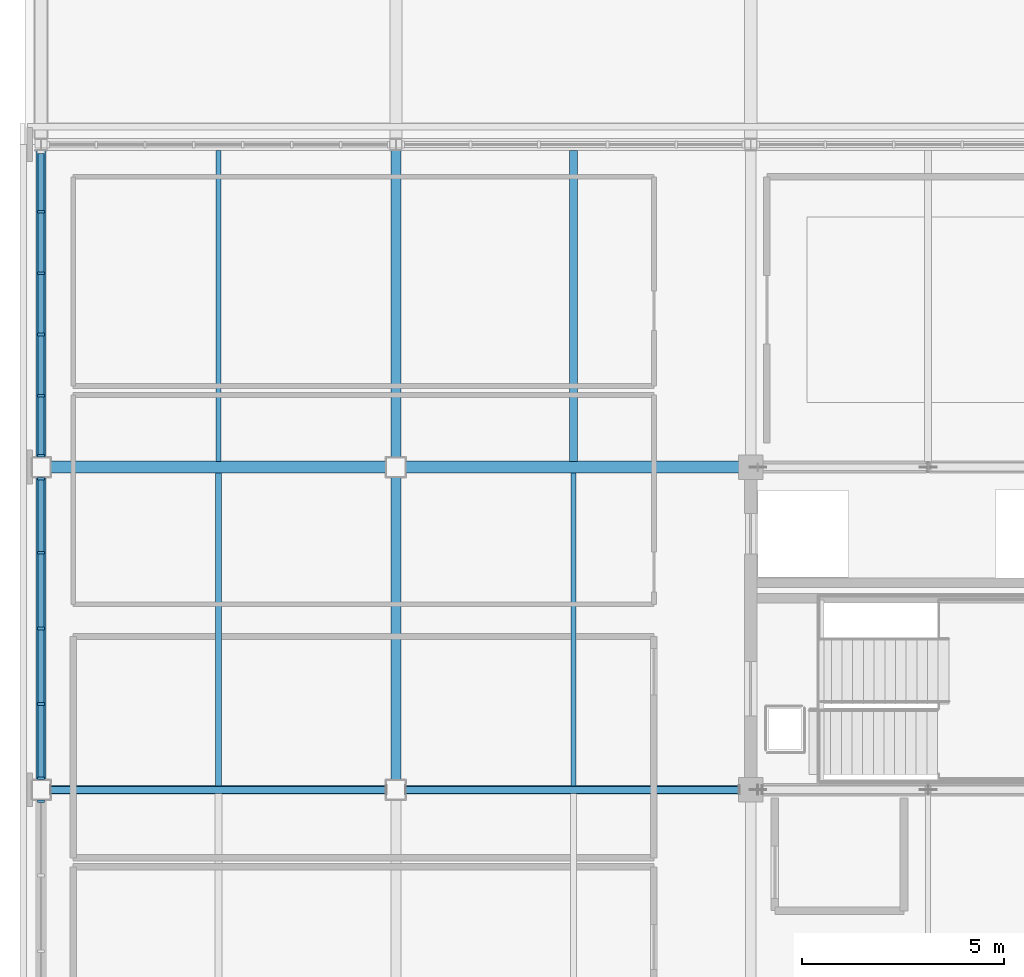
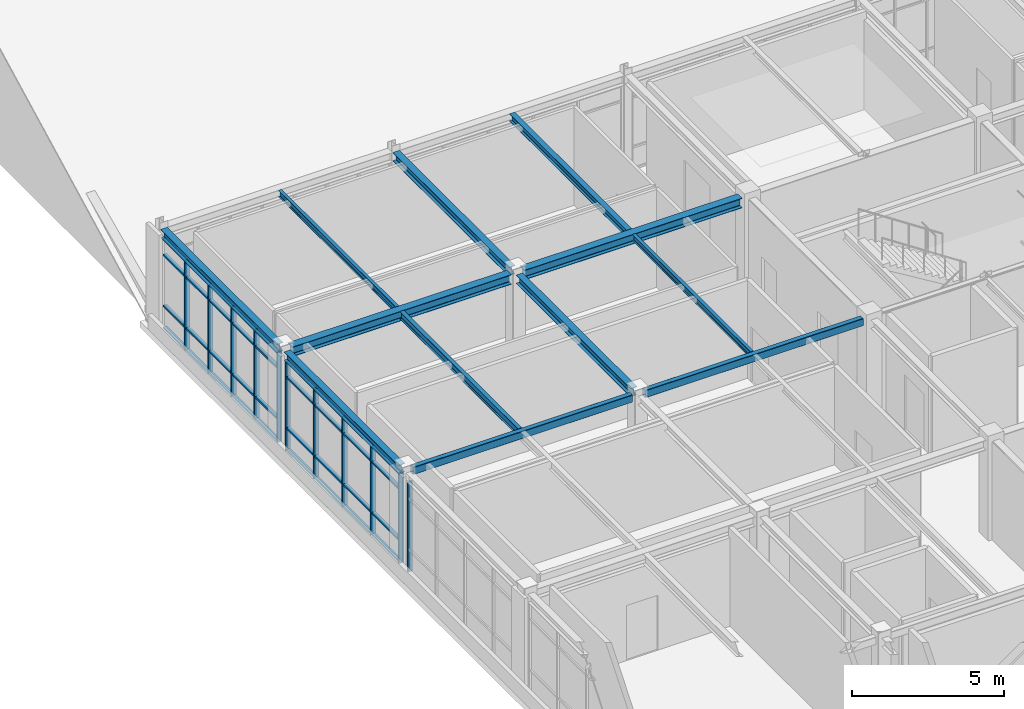
# One storey, part 12 of 45: 47 members, 12 beams, 3 elements without a shape of their own.
"""IFC4 building model written with IfcOpenShell, lengths in metres."""

from ifc_helpers import new_model, si_unit, direction, frame, origin, origin_2d, place, context, subcontext, project, spatial, rectangle, hollow_rectangle, i_section, extrude, material, material_profile, profile_set, type_object, element, aggregate, save


model = new_model("IFC4")

# Units and contexts
model_context = context("Model", 3, precision=1e-05, world=origin(), true_north=direction((0.0, 1.0)))
body_context = subcontext(model_context, "Body", "Model", "MODEL_VIEW")
ifc_project = project(units=[si_unit("LENGTHUNIT", "METRE"), si_unit("AREAUNIT", "SQUARE_METRE"), si_unit("VOLUMEUNIT", "CUBIC_METRE"), si_unit("PLANEANGLEUNIT", "RADIAN"), si_unit("MASSUNIT", "GRAM", prefix="KILO")], contexts=[model_context])

# Site, building, storey
site_placement = place(None, origin())
site = spatial("IfcSite", under=ifc_project, at=site_placement, CompositionType="ELEMENT")
building_placement = place(site_placement, origin())
building = spatial("IfcBuilding", under=site, at=building_placement, Name="Zhaolan Boulevard Law Courts", CompositionType="ELEMENT")
storey_placement = place(building_placement, frame((0.0, 0.0, 24.60009765625)))
storey = spatial("IfcBuildingStorey", under=building, at=storey_placement, Name="L05", CompositionType="ELEMENT", Elevation=24.60009765625)

# Curtain wall, member
ifc_material_1 = material(Name="Thermally broken aluminium and low-E glazing", Category="aluminium")
curtain_wall_type_1 = type_object("IfcCurtainWallType", Name="CURTAIN WALL M23", PredefinedType="USERDEFINED", material=ifc_material_1)
curtain_wall_1_placement = place(storey_placement, origin())
curtain_wall_1 = element("IfcCurtainWall", 1, at=curtain_wall_1_placement, inside=storey, type_object=curtain_wall_type_1, Name="Curtain Wall CW-L05-215", ObjectType="CURTAIN WALL", PredefinedType="USERDEFINED")
ifc_material_2 = material(Name="Fluorocarbon-coated aluminium 6063-T6", Category="aluminium")
ifc_material_profile_1 = material_profile(ifc_material_2, rectangle(XDim=0.179931640625, YDim=0.06494140625, at=origin_2d()), Name="AL65x180")
ifc_profile_set_1 = profile_set([ifc_material_profile_1], Name="Fluorocarbon-coated aluminium 6063-T6")
member_type_1 = type_object("IfcMemberType", Name="CWMULLION 65X180", PredefinedType="MULLION", material=ifc_profile_set_1)
member_1_placement = place(storey_placement, frame((0.0, 61.715576171875, 0.0), z_axis=(0.0, 0.0, 1.0), x_axis=(1.0, 0.0, 0.0)))
member_1 = element("IfcMember", 2, at=member_1_placement, type_object=member_type_1, Name="CW-L05-215 mullion 1", PredefinedType="MULLION", context=body_context, shape_type="SweptSolid", body=[
    extrude(rectangle(XDim=0.179931640625, YDim=0.06494140625, at=origin_2d()), origin(), (0.0, 0.0, 1.0), 3.593017578125),
])
aggregate(curtain_wall_1, [member_1])

# Curtain wall, members
ifc_material_3 = material(Name="Thermally broken aluminium and low-E glazing", Category="aluminium")
curtain_wall_type_2 = type_object("IfcCurtainWallType", Name="CURTAIN WALL M24", PredefinedType="USERDEFINED", material=ifc_material_3)
curtain_wall_2_placement = place(storey_placement, origin())
curtain_wall_2 = element("IfcCurtainWall", 3, at=curtain_wall_2_placement, inside=storey, type_object=curtain_wall_type_2, Name="Curtain Wall CW-L05-216", ObjectType="CURTAIN WALL", PredefinedType="USERDEFINED")
member_2_placement = place(storey_placement, frame((0.0, 69.715576171875, 0.0), z_axis=(0.0, 0.0, 1.0), x_axis=(1.0, 0.0, 0.0)))
member_2 = element("IfcMember", 4, at=member_2_placement, type_object=member_type_1, Name="CW-L05-216 mullion 1", PredefinedType="MULLION", context=body_context, shape_type="SweptSolid", body=[
    extrude(rectangle(XDim=0.179931640625, YDim=0.06494140625, at=origin_2d()), origin(), (0.0, 0.0, 1.0), 3.593017578125),
])
member_3_placement = place(storey_placement, frame((0.0, 67.8740234375, 0.0), z_axis=(0.0, 0.0, 1.0), x_axis=(1.0, 0.0, 0.0)))
member_3 = element("IfcMember", 5, at=member_3_placement, type_object=member_type_1, Name="CW-L05-216 mullion 2", PredefinedType="MULLION", context=body_context, shape_type="SweptSolid", body=[
    extrude(rectangle(XDim=0.179931640625, YDim=0.06494140625, at=origin_2d()), origin(), (0.0, 0.0, 1.0), 3.593017578125),
])
member_4_placement = place(storey_placement, frame((0.0, 66.0, 0.0), z_axis=(0.0, 0.0, 1.0), x_axis=(1.0, 0.0, 0.0)))
member_4 = element("IfcMember", 6, at=member_4_placement, type_object=member_type_1, Name="CW-L05-216 mullion 3", PredefinedType="MULLION", context=body_context, shape_type="SweptSolid", body=[
    extrude(rectangle(XDim=0.179931640625, YDim=0.06494140625, at=origin_2d()), origin(), (0.0, 0.0, 1.0), 3.593017578125),
])
member_5_placement = place(storey_placement, frame((0.0, 64.1259765625, 0.0), z_axis=(0.0, 0.0, 1.0), x_axis=(1.0, 0.0, 0.0)))
member_5 = element("IfcMember", 7, at=member_5_placement, type_object=member_type_1, Name="CW-L05-216 mullion 4", PredefinedType="MULLION", context=body_context, shape_type="SweptSolid", body=[
    extrude(rectangle(XDim=0.179931640625, YDim=0.06494140625, at=origin_2d()), origin(), (0.0, 0.0, 1.0), 3.593017578125),
])
member_6_placement = place(storey_placement, frame((0.0, 62.284423828125, 0.0), z_axis=(0.0, 0.0, 1.0), x_axis=(1.0, 0.0, 0.0)))
member_6 = element("IfcMember", 8, at=member_6_placement, type_object=member_type_1, Name="CW-L05-216 mullion 5", PredefinedType="MULLION", context=body_context, shape_type="SweptSolid", body=[
    extrude(rectangle(XDim=0.179931640625, YDim=0.06494140625, at=origin_2d()), origin(), (0.0, 0.0, 1.0), 3.593017578125),
])

ifc_material_4 = material(Name="Thermally broken aluminium and low-E glazing", Category="aluminium")
curtain_wall_type_3 = type_object("IfcCurtainWallType", Name="CURTAIN WALL M1", PredefinedType="USERDEFINED", material=ifc_material_4)
curtain_wall_3_placement = place(storey_placement, origin())
curtain_wall_3 = element("IfcCurtainWall", 9, at=curtain_wall_3_placement, inside=storey, type_object=curtain_wall_type_3, Name="Curtain Wall CW-L05-217", ObjectType="CURTAIN WALL", PredefinedType="USERDEFINED")
member_7_placement = place(storey_placement, frame((0.0, 76.328857421875, 0.0), z_axis=(0.0, 0.0, 1.0), x_axis=(1.0, 0.0, 0.0)))
member_7 = element("IfcMember", 10, at=member_7_placement, type_object=member_type_1, Name="CW-L05-217 mullion 2", PredefinedType="MULLION", context=body_context, shape_type="SweptSolid", body=[
    extrude(rectangle(XDim=0.179931640625, YDim=0.06494140625, at=origin_2d()), origin(), (0.0, 0.0, 1.0), 3.593017578125),
])
member_8_placement = place(storey_placement, frame((0.0, 74.8095703125, 0.0), z_axis=(0.0, 0.0, 1.0), x_axis=(1.0, 0.0, 0.0)))
member_8 = element("IfcMember", 11, at=member_8_placement, type_object=member_type_1, Name="CW-L05-217 mullion 3", PredefinedType="MULLION", context=body_context, shape_type="SweptSolid", body=[
    extrude(rectangle(XDim=0.179931640625, YDim=0.06494140625, at=origin_2d()), origin(), (0.0, 0.0, 1.0), 3.593017578125),
])
member_9_placement = place(storey_placement, frame((0.0, 73.290283203125, 0.0), z_axis=(0.0, 0.0, 1.0), x_axis=(1.0, 0.0, 0.0)))
member_9 = element("IfcMember", 12, at=member_9_placement, type_object=member_type_1, Name="CW-L05-217 mullion 4", PredefinedType="MULLION", context=body_context, shape_type="SweptSolid", body=[
    extrude(rectangle(XDim=0.179931640625, YDim=0.06494140625, at=origin_2d()), origin(), (0.0, 0.0, 1.0), 3.593017578125),
])
member_10_placement = place(storey_placement, frame((0.0, 71.771240234375, 0.0), z_axis=(0.0, 0.0, 1.0), x_axis=(1.0, 0.0, 0.0)))
member_10 = element("IfcMember", 13, at=member_10_placement, type_object=member_type_1, Name="CW-L05-217 mullion 5", PredefinedType="MULLION", context=body_context, shape_type="SweptSolid", body=[
    extrude(rectangle(XDim=0.179931640625, YDim=0.06494140625, at=origin_2d()), origin(), (0.0, 0.0, 1.0), 3.593017578125),
])
member_11_placement = place(storey_placement, frame((0.0, 70.284423828125, 0.0), z_axis=(0.0, 0.0, 1.0), x_axis=(1.0, 0.0, 0.0)))
member_11 = element("IfcMember", 14, at=member_11_placement, type_object=member_type_1, Name="CW-L05-217 mullion 6", PredefinedType="MULLION", context=body_context, shape_type="SweptSolid", body=[
    extrude(rectangle(XDim=0.179931640625, YDim=0.06494140625, at=origin_2d()), origin(), (0.0, 0.0, 1.0), 3.593017578125),
])

# Member
ifc_material_5 = material(Name="Fluorocarbon-coated aluminium 6063-T6", Category="aluminium")
ifc_material_profile_2 = material_profile(ifc_material_5, rectangle(XDim=0.139892578125, YDim=0.06494140625, at=origin_2d()), Name="AL65x140")
ifc_profile_set_2 = profile_set([ifc_material_profile_2], Name="Fluorocarbon-coated aluminium 6063-T6")
member_type_2 = type_object("IfcMemberType", Name="CWTRANSOM 65X140", PredefinedType="USERDEFINED", material=ifc_profile_set_2)
member_12_placement = place(storey_placement, frame((0.0, 69.68310546875, 0.032470703125), z_axis=(0.0, -1.0, 0.0), x_axis=(1.0, 0.0, 0.0)))
member_12 = element("IfcMember", 15, at=member_12_placement, type_object=member_type_2, Name="CW-L05-216 transom 1.1", ObjectType="TRANSOM", PredefinedType="USERDEFINED", context=body_context, shape_type="SweptSolid", body=[
    extrude(rectangle(XDim=0.139892578125, YDim=0.06494140625, at=origin_2d()), origin(), (0.0, 0.0, 1.0), 1.776611328125),
])

member_13_placement = place(storey_placement, frame((0.0, 69.68310546875, 0.89990234375), z_axis=(0.0, -1.0, 0.0), x_axis=(1.0, 0.0, 0.0)))
member_13 = element("IfcMember", 16, at=member_13_placement, type_object=member_type_2, Name="CW-L05-216 transom 1.2", ObjectType="TRANSOM", PredefinedType="USERDEFINED", context=body_context, shape_type="SweptSolid", body=[
    extrude(rectangle(XDim=0.139892578125, YDim=0.06494140625, at=origin_2d()), origin(), (0.0, 0.0, 1.0), 1.776611328125),
])

member_14_placement = place(storey_placement, frame((0.0, 69.68310546875, 2.94287109375), z_axis=(0.0, -1.0, 0.0), x_axis=(1.0, 0.0, 0.0)))
member_14 = element("IfcMember", 17, at=member_14_placement, type_object=member_type_2, Name="CW-L05-216 transom 1.3", ObjectType="TRANSOM", PredefinedType="USERDEFINED", context=body_context, shape_type="SweptSolid", body=[
    extrude(rectangle(XDim=0.139892578125, YDim=0.06494140625, at=origin_2d()), origin(), (0.0, 0.0, 1.0), 1.776611328125),
])

member_15_placement = place(storey_placement, frame((0.0, 69.68310546875, 3.560302734375), z_axis=(0.0, -1.0, 0.0), x_axis=(1.0, 0.0, 0.0)))
member_15 = element("IfcMember", 18, at=member_15_placement, type_object=member_type_2, Name="CW-L05-216 transom 1.4", ObjectType="TRANSOM", PredefinedType="USERDEFINED", context=body_context, shape_type="SweptSolid", body=[
    extrude(rectangle(XDim=0.139892578125, YDim=0.06494140625, at=origin_2d()), origin(), (0.0, 0.0, 1.0), 1.776611328125),
])

member_16_placement = place(storey_placement, frame((0.0, 67.841552734375, 0.032470703125), z_axis=(0.0, -1.0, 0.0), x_axis=(1.0, 0.0, 0.0)))
member_16 = element("IfcMember", 19, at=member_16_placement, type_object=member_type_2, Name="CW-L05-216 transom 2.1", ObjectType="TRANSOM", PredefinedType="USERDEFINED", context=body_context, shape_type="SweptSolid", body=[
    extrude(rectangle(XDim=0.139892578125, YDim=0.06494140625, at=origin_2d()), origin(), (0.0, 0.0, 1.0), 1.80908203125),
])

member_17_placement = place(storey_placement, frame((0.0, 67.841552734375, 0.89990234375), z_axis=(0.0, -1.0, 0.0), x_axis=(1.0, 0.0, 0.0)))
member_17 = element("IfcMember", 20, at=member_17_placement, type_object=member_type_2, Name="CW-L05-216 transom 2.2", ObjectType="TRANSOM", PredefinedType="USERDEFINED", context=body_context, shape_type="SweptSolid", body=[
    extrude(rectangle(XDim=0.139892578125, YDim=0.06494140625, at=origin_2d()), origin(), (0.0, 0.0, 1.0), 1.80908203125),
])

member_18_placement = place(storey_placement, frame((0.0, 67.841552734375, 2.94287109375), z_axis=(0.0, -1.0, 0.0), x_axis=(1.0, 0.0, 0.0)))
member_18 = element("IfcMember", 21, at=member_18_placement, type_object=member_type_2, Name="CW-L05-216 transom 2.3", ObjectType="TRANSOM", PredefinedType="USERDEFINED", context=body_context, shape_type="SweptSolid", body=[
    extrude(rectangle(XDim=0.139892578125, YDim=0.06494140625, at=origin_2d()), origin(), (0.0, 0.0, 1.0), 1.80908203125),
])

member_19_placement = place(storey_placement, frame((0.0, 67.841552734375, 3.560302734375), z_axis=(0.0, -1.0, 0.0), x_axis=(1.0, 0.0, 0.0)))
member_19 = element("IfcMember", 22, at=member_19_placement, type_object=member_type_2, Name="CW-L05-216 transom 2.4", ObjectType="TRANSOM", PredefinedType="USERDEFINED", context=body_context, shape_type="SweptSolid", body=[
    extrude(rectangle(XDim=0.139892578125, YDim=0.06494140625, at=origin_2d()), origin(), (0.0, 0.0, 1.0), 1.80908203125),
])

member_20_placement = place(storey_placement, frame((0.0, 65.967529296875, 0.032470703125), z_axis=(0.0, -1.0, 0.0), x_axis=(1.0, 0.0, 0.0)))
member_20 = element("IfcMember", 23, at=member_20_placement, type_object=member_type_2, Name="CW-L05-216 transom 3.1", ObjectType="TRANSOM", PredefinedType="USERDEFINED", context=body_context, shape_type="SweptSolid", body=[
    extrude(rectangle(XDim=0.139892578125, YDim=0.06494140625, at=origin_2d()), origin(), (0.0, 0.0, 1.0), 1.80908203125),
])

member_21_placement = place(storey_placement, frame((0.0, 65.967529296875, 0.89990234375), z_axis=(0.0, -1.0, 0.0), x_axis=(1.0, 0.0, 0.0)))
member_21 = element("IfcMember", 24, at=member_21_placement, type_object=member_type_2, Name="CW-L05-216 transom 3.2", ObjectType="TRANSOM", PredefinedType="USERDEFINED", context=body_context, shape_type="SweptSolid", body=[
    extrude(rectangle(XDim=0.139892578125, YDim=0.06494140625, at=origin_2d()), origin(), (0.0, 0.0, 1.0), 1.80908203125),
])

member_22_placement = place(storey_placement, frame((0.0, 65.967529296875, 2.94287109375), z_axis=(0.0, -1.0, 0.0), x_axis=(1.0, 0.0, 0.0)))
member_22 = element("IfcMember", 25, at=member_22_placement, type_object=member_type_2, Name="CW-L05-216 transom 3.3", ObjectType="TRANSOM", PredefinedType="USERDEFINED", context=body_context, shape_type="SweptSolid", body=[
    extrude(rectangle(XDim=0.139892578125, YDim=0.06494140625, at=origin_2d()), origin(), (0.0, 0.0, 1.0), 1.80908203125),
])

member_23_placement = place(storey_placement, frame((0.0, 65.967529296875, 3.560302734375), z_axis=(0.0, -1.0, 0.0), x_axis=(1.0, 0.0, 0.0)))
member_23 = element("IfcMember", 26, at=member_23_placement, type_object=member_type_2, Name="CW-L05-216 transom 3.4", ObjectType="TRANSOM", PredefinedType="USERDEFINED", context=body_context, shape_type="SweptSolid", body=[
    extrude(rectangle(XDim=0.139892578125, YDim=0.06494140625, at=origin_2d()), origin(), (0.0, 0.0, 1.0), 1.80908203125),
])

member_24_placement = place(storey_placement, frame((0.0, 64.093505859375, 0.032470703125), z_axis=(0.0, -1.0, 0.0), x_axis=(1.0, 0.0, 0.0)))
member_24 = element("IfcMember", 27, at=member_24_placement, type_object=member_type_2, Name="CW-L05-216 transom 4.1", ObjectType="TRANSOM", PredefinedType="USERDEFINED", context=body_context, shape_type="SweptSolid", body=[
    extrude(rectangle(XDim=0.139892578125, YDim=0.06494140625, at=origin_2d()), origin(), (0.0, 0.0, 1.0), 1.776611328125),
])

member_25_placement = place(storey_placement, frame((0.0, 64.093505859375, 0.89990234375), z_axis=(0.0, -1.0, 0.0), x_axis=(1.0, 0.0, 0.0)))
member_25 = element("IfcMember", 28, at=member_25_placement, type_object=member_type_2, Name="CW-L05-216 transom 4.2", ObjectType="TRANSOM", PredefinedType="USERDEFINED", context=body_context, shape_type="SweptSolid", body=[
    extrude(rectangle(XDim=0.139892578125, YDim=0.06494140625, at=origin_2d()), origin(), (0.0, 0.0, 1.0), 1.776611328125),
])

member_26_placement = place(storey_placement, frame((0.0, 64.093505859375, 2.94287109375), z_axis=(0.0, -1.0, 0.0), x_axis=(1.0, 0.0, 0.0)))
member_26 = element("IfcMember", 29, at=member_26_placement, type_object=member_type_2, Name="CW-L05-216 transom 4.3", ObjectType="TRANSOM", PredefinedType="USERDEFINED", context=body_context, shape_type="SweptSolid", body=[
    extrude(rectangle(XDim=0.139892578125, YDim=0.06494140625, at=origin_2d()), origin(), (0.0, 0.0, 1.0), 1.776611328125),
])

member_27_placement = place(storey_placement, frame((0.0, 64.093505859375, 3.560302734375), z_axis=(0.0, -1.0, 0.0), x_axis=(1.0, 0.0, 0.0)))
member_27 = element("IfcMember", 30, at=member_27_placement, type_object=member_type_2, Name="CW-L05-216 transom 4.4", ObjectType="TRANSOM", PredefinedType="USERDEFINED", context=body_context, shape_type="SweptSolid", body=[
    extrude(rectangle(XDim=0.139892578125, YDim=0.06494140625, at=origin_2d()), origin(), (0.0, 0.0, 1.0), 1.776611328125),
])

aggregate(curtain_wall_2, [member_2, member_3, member_4, member_5, member_6, member_12, member_13, member_14, member_15, member_16, member_17, member_18, member_19, member_20, member_21, member_22, member_23, member_24, member_25, member_26, member_27])

member_28_placement = place(storey_placement, frame((0.0, 77.782958984375, 0.032470703125), z_axis=(0.0, -1.0, 0.0), x_axis=(1.0, 0.0, 0.0)))
member_28 = element("IfcMember", 31, at=member_28_placement, type_object=member_type_2, Name="CW-L05-217 transom 1.1", ObjectType="TRANSOM", PredefinedType="USERDEFINED", context=body_context, shape_type="SweptSolid", body=[
    extrude(rectangle(XDim=0.139892578125, YDim=0.06494140625, at=origin_2d()), origin(), (0.0, 0.0, 1.0), 1.421630859375),
])

member_29_placement = place(storey_placement, frame((0.0, 77.782958984375, 0.89990234375), z_axis=(0.0, -1.0, 0.0), x_axis=(1.0, 0.0, 0.0)))
member_29 = element("IfcMember", 32, at=member_29_placement, type_object=member_type_2, Name="CW-L05-217 transom 1.2", ObjectType="TRANSOM", PredefinedType="USERDEFINED", context=body_context, shape_type="SweptSolid", body=[
    extrude(rectangle(XDim=0.139892578125, YDim=0.06494140625, at=origin_2d()), origin(), (0.0, 0.0, 1.0), 1.421630859375),
])

member_30_placement = place(storey_placement, frame((0.0, 77.782958984375, 2.94287109375), z_axis=(0.0, -1.0, 0.0), x_axis=(1.0, 0.0, 0.0)))
member_30 = element("IfcMember", 33, at=member_30_placement, type_object=member_type_2, Name="CW-L05-217 transom 1.3", ObjectType="TRANSOM", PredefinedType="USERDEFINED", context=body_context, shape_type="SweptSolid", body=[
    extrude(rectangle(XDim=0.139892578125, YDim=0.06494140625, at=origin_2d()), origin(), (0.0, 0.0, 1.0), 1.421630859375),
])

member_31_placement = place(storey_placement, frame((0.0, 77.782958984375, 3.560302734375), z_axis=(0.0, -1.0, 0.0), x_axis=(1.0, 0.0, 0.0)))
member_31 = element("IfcMember", 34, at=member_31_placement, type_object=member_type_2, Name="CW-L05-217 transom 1.4", ObjectType="TRANSOM", PredefinedType="USERDEFINED", context=body_context, shape_type="SweptSolid", body=[
    extrude(rectangle(XDim=0.139892578125, YDim=0.06494140625, at=origin_2d()), origin(), (0.0, 0.0, 1.0), 1.421630859375),
])

member_32_placement = place(storey_placement, frame((0.0, 76.29638671875, 0.032470703125), z_axis=(0.0, -1.0, 0.0), x_axis=(1.0, 0.0, 0.0)))
member_32 = element("IfcMember", 35, at=member_32_placement, type_object=member_type_2, Name="CW-L05-217 transom 2.1", ObjectType="TRANSOM", PredefinedType="USERDEFINED", context=body_context, shape_type="SweptSolid", body=[
    extrude(rectangle(XDim=0.139892578125, YDim=0.06494140625, at=origin_2d()), origin(), (0.0, 0.0, 1.0), 1.454345703125),
])

member_33_placement = place(storey_placement, frame((0.0, 76.29638671875, 0.89990234375), z_axis=(0.0, -1.0, 0.0), x_axis=(1.0, 0.0, 0.0)))
member_33 = element("IfcMember", 36, at=member_33_placement, type_object=member_type_2, Name="CW-L05-217 transom 2.2", ObjectType="TRANSOM", PredefinedType="USERDEFINED", context=body_context, shape_type="SweptSolid", body=[
    extrude(rectangle(XDim=0.139892578125, YDim=0.06494140625, at=origin_2d()), origin(), (0.0, 0.0, 1.0), 1.454345703125),
])

member_34_placement = place(storey_placement, frame((0.0, 76.29638671875, 2.94287109375), z_axis=(0.0, -1.0, 0.0), x_axis=(1.0, 0.0, 0.0)))
member_34 = element("IfcMember", 37, at=member_34_placement, type_object=member_type_2, Name="CW-L05-217 transom 2.3", ObjectType="TRANSOM", PredefinedType="USERDEFINED", context=body_context, shape_type="SweptSolid", body=[
    extrude(rectangle(XDim=0.139892578125, YDim=0.06494140625, at=origin_2d()), origin(), (0.0, 0.0, 1.0), 1.454345703125),
])

member_35_placement = place(storey_placement, frame((0.0, 76.29638671875, 3.560302734375), z_axis=(0.0, -1.0, 0.0), x_axis=(1.0, 0.0, 0.0)))
member_35 = element("IfcMember", 38, at=member_35_placement, type_object=member_type_2, Name="CW-L05-217 transom 2.4", ObjectType="TRANSOM", PredefinedType="USERDEFINED", context=body_context, shape_type="SweptSolid", body=[
    extrude(rectangle(XDim=0.139892578125, YDim=0.06494140625, at=origin_2d()), origin(), (0.0, 0.0, 1.0), 1.454345703125),
])

member_36_placement = place(storey_placement, frame((0.0, 74.777099609375, 0.032470703125), z_axis=(0.0, -1.0, 0.0), x_axis=(1.0, 0.0, 0.0)))
member_36 = element("IfcMember", 39, at=member_36_placement, type_object=member_type_2, Name="CW-L05-217 transom 3.1", ObjectType="TRANSOM", PredefinedType="USERDEFINED", context=body_context, shape_type="SweptSolid", body=[
    extrude(rectangle(XDim=0.139892578125, YDim=0.06494140625, at=origin_2d()), origin(), (0.0, 0.0, 1.0), 1.4541015625),
])

member_37_placement = place(storey_placement, frame((0.0, 74.777099609375, 0.89990234375), z_axis=(0.0, -1.0, 0.0), x_axis=(1.0, 0.0, 0.0)))
member_37 = element("IfcMember", 40, at=member_37_placement, type_object=member_type_2, Name="CW-L05-217 transom 3.2", ObjectType="TRANSOM", PredefinedType="USERDEFINED", context=body_context, shape_type="SweptSolid", body=[
    extrude(rectangle(XDim=0.139892578125, YDim=0.06494140625, at=origin_2d()), origin(), (0.0, 0.0, 1.0), 1.4541015625),
])

member_38_placement = place(storey_placement, frame((0.0, 74.777099609375, 2.94287109375), z_axis=(0.0, -1.0, 0.0), x_axis=(1.0, 0.0, 0.0)))
member_38 = element("IfcMember", 41, at=member_38_placement, type_object=member_type_2, Name="CW-L05-217 transom 3.3", ObjectType="TRANSOM", PredefinedType="USERDEFINED", context=body_context, shape_type="SweptSolid", body=[
    extrude(rectangle(XDim=0.139892578125, YDim=0.06494140625, at=origin_2d()), origin(), (0.0, 0.0, 1.0), 1.4541015625),
])

member_39_placement = place(storey_placement, frame((0.0, 74.777099609375, 3.560302734375), z_axis=(0.0, -1.0, 0.0), x_axis=(1.0, 0.0, 0.0)))
member_39 = element("IfcMember", 42, at=member_39_placement, type_object=member_type_2, Name="CW-L05-217 transom 3.4", ObjectType="TRANSOM", PredefinedType="USERDEFINED", context=body_context, shape_type="SweptSolid", body=[
    extrude(rectangle(XDim=0.139892578125, YDim=0.06494140625, at=origin_2d()), origin(), (0.0, 0.0, 1.0), 1.4541015625),
])

member_40_placement = place(storey_placement, frame((0.0, 73.2578125, 0.032470703125), z_axis=(0.0, -1.0, 0.0), x_axis=(1.0, 0.0, 0.0)))
member_40 = element("IfcMember", 43, at=member_40_placement, type_object=member_type_2, Name="CW-L05-217 transom 4.1", ObjectType="TRANSOM", PredefinedType="USERDEFINED", context=body_context, shape_type="SweptSolid", body=[
    extrude(rectangle(XDim=0.139892578125, YDim=0.06494140625, at=origin_2d()), origin(), (0.0, 0.0, 1.0), 1.4541015625),
])

member_41_placement = place(storey_placement, frame((0.0, 73.2578125, 0.89990234375), z_axis=(0.0, -1.0, 0.0), x_axis=(1.0, 0.0, 0.0)))
member_41 = element("IfcMember", 44, at=member_41_placement, type_object=member_type_2, Name="CW-L05-217 transom 4.2", ObjectType="TRANSOM", PredefinedType="USERDEFINED", context=body_context, shape_type="SweptSolid", body=[
    extrude(rectangle(XDim=0.139892578125, YDim=0.06494140625, at=origin_2d()), origin(), (0.0, 0.0, 1.0), 1.4541015625),
])

member_42_placement = place(storey_placement, frame((0.0, 73.2578125, 2.94287109375), z_axis=(0.0, -1.0, 0.0), x_axis=(1.0, 0.0, 0.0)))
member_42 = element("IfcMember", 45, at=member_42_placement, type_object=member_type_2, Name="CW-L05-217 transom 4.3", ObjectType="TRANSOM", PredefinedType="USERDEFINED", context=body_context, shape_type="SweptSolid", body=[
    extrude(rectangle(XDim=0.139892578125, YDim=0.06494140625, at=origin_2d()), origin(), (0.0, 0.0, 1.0), 1.4541015625),
])

member_43_placement = place(storey_placement, frame((0.0, 73.2578125, 3.560302734375), z_axis=(0.0, -1.0, 0.0), x_axis=(1.0, 0.0, 0.0)))
member_43 = element("IfcMember", 46, at=member_43_placement, type_object=member_type_2, Name="CW-L05-217 transom 4.4", ObjectType="TRANSOM", PredefinedType="USERDEFINED", context=body_context, shape_type="SweptSolid", body=[
    extrude(rectangle(XDim=0.139892578125, YDim=0.06494140625, at=origin_2d()), origin(), (0.0, 0.0, 1.0), 1.4541015625),
])

member_44_placement = place(storey_placement, frame((0.0, 71.73876953125, 0.032470703125), z_axis=(0.0, -1.0, 0.0), x_axis=(1.0, 0.0, 0.0)))
member_44 = element("IfcMember", 47, at=member_44_placement, type_object=member_type_2, Name="CW-L05-217 transom 5.1", ObjectType="TRANSOM", PredefinedType="USERDEFINED", context=body_context, shape_type="SweptSolid", body=[
    extrude(rectangle(XDim=0.139892578125, YDim=0.06494140625, at=origin_2d()), origin(), (0.0, 0.0, 1.0), 1.421875),
])

member_45_placement = place(storey_placement, frame((0.0, 71.73876953125, 0.89990234375), z_axis=(0.0, -1.0, 0.0), x_axis=(1.0, 0.0, 0.0)))
member_45 = element("IfcMember", 48, at=member_45_placement, type_object=member_type_2, Name="CW-L05-217 transom 5.2", ObjectType="TRANSOM", PredefinedType="USERDEFINED", context=body_context, shape_type="SweptSolid", body=[
    extrude(rectangle(XDim=0.139892578125, YDim=0.06494140625, at=origin_2d()), origin(), (0.0, 0.0, 1.0), 1.421875),
])

member_46_placement = place(storey_placement, frame((0.0, 71.73876953125, 2.94287109375), z_axis=(0.0, -1.0, 0.0), x_axis=(1.0, 0.0, 0.0)))
member_46 = element("IfcMember", 49, at=member_46_placement, type_object=member_type_2, Name="CW-L05-217 transom 5.3", ObjectType="TRANSOM", PredefinedType="USERDEFINED", context=body_context, shape_type="SweptSolid", body=[
    extrude(rectangle(XDim=0.139892578125, YDim=0.06494140625, at=origin_2d()), origin(), (0.0, 0.0, 1.0), 1.421875),
])

member_47_placement = place(storey_placement, frame((0.0, 71.73876953125, 3.560302734375), z_axis=(0.0, -1.0, 0.0), x_axis=(1.0, 0.0, 0.0)))
member_47 = element("IfcMember", 50, at=member_47_placement, type_object=member_type_2, Name="CW-L05-217 transom 5.4", ObjectType="TRANSOM", PredefinedType="USERDEFINED", context=body_context, shape_type="SweptSolid", body=[
    extrude(rectangle(XDim=0.139892578125, YDim=0.06494140625, at=origin_2d()), origin(), (0.0, 0.0, 1.0), 1.421875),
])

aggregate(curtain_wall_3, [member_7, member_8, member_9, member_10, member_11, member_28, member_29, member_30, member_31, member_32, member_33, member_34, member_35, member_36, member_37, member_38, member_39, member_40, member_41, member_42, member_43, member_44, member_45, member_46, member_47])

# Beams
ifc_material_6 = material(Name="Structural steel Q355B", Category="steel")
ifc_material_profile_3 = material_profile(ifc_material_6, i_section(OverallWidth=0.25, OverallDepth=0.340087890625, WebThickness=0.009033203125, FlangeThickness=0.013916015625, FilletRadius=0.01611328125, at=origin_2d()), Name="HM340x250")
ifc_profile_set_3 = profile_set([ifc_material_profile_3], Name="Structural steel Q355B")
beam_type_1 = type_object("IfcBeamType", Name="GIRDER HM340", PredefinedType="BEAM", material=ifc_profile_set_3)
beam_1_placement = place(storey_placement, frame((0.0, 62.24609375, 3.77783203125), z_axis=(0.0, 1.0, 0.0), x_axis=(-1.0, 0.0, 0.0)))
element("IfcBeam", 51, at=beam_1_placement, inside=storey, type_object=beam_type_1, Name="Beam BY-L06-1-J-K", PredefinedType="BEAM", context=body_context, shape_type="SweptSolid", body=[
    extrude(i_section(OverallWidth=0.25, OverallDepth=0.340087890625, WebThickness=0.009033203125, FlangeThickness=0.013916015625, FilletRadius=0.01611328125, at=origin_2d()), origin(), (0.0, 0.0, 1.0), 7.5078125),
])
beam_2_placement = place(storey_placement, frame((0.0, 70.24609375, 3.77783203125), z_axis=(0.0, 1.0, 0.0), x_axis=(-1.0, 0.0, 0.0)))
element("IfcBeam", 52, at=beam_2_placement, inside=storey, type_object=beam_type_1, Name="Beam BY-L06-1-K-L", PredefinedType="BEAM", context=body_context, shape_type="SweptSolid", body=[
    extrude(i_section(OverallWidth=0.25, OverallDepth=0.340087890625, WebThickness=0.009033203125, FlangeThickness=0.013916015625, FilletRadius=0.01611328125, at=origin_2d()), origin(), (0.0, 0.0, 1.0), 7.60791015625),
])
beam_3_placement = place(storey_placement, frame((8.800048828125, 62.24609375, 3.77783203125), z_axis=(0.0, 1.0, 0.0), x_axis=(-1.0, 0.0, 0.0)))
element("IfcBeam", 53, at=beam_3_placement, inside=storey, type_object=beam_type_1, Name="Beam BY-L06-2-J-K", PredefinedType="BEAM", context=body_context, shape_type="SweptSolid", body=[
    extrude(i_section(OverallWidth=0.25, OverallDepth=0.340087890625, WebThickness=0.009033203125, FlangeThickness=0.013916015625, FilletRadius=0.01611328125, at=origin_2d()), origin(), (0.0, 0.0, 1.0), 7.5078125),
])
beam_4_placement = place(storey_placement, frame((8.800048828125, 70.24609375, 3.77783203125), z_axis=(0.0, 1.0, 0.0), x_axis=(-1.0, 0.0, 0.0)))
element("IfcBeam", 54, at=beam_4_placement, inside=storey, type_object=beam_type_1, Name="Beam BY-L06-2-K-L", PredefinedType="BEAM", context=body_context, shape_type="SweptSolid", body=[
    extrude(i_section(OverallWidth=0.25, OverallDepth=0.340087890625, WebThickness=0.009033203125, FlangeThickness=0.013916015625, FilletRadius=0.01611328125, at=origin_2d()), origin(), (0.0, 0.0, 1.0), 7.60791015625),
])
ifc_material_7 = material(Name="Structural steel Q355B", Category="steel")
ifc_material_profile_4 = material_profile(ifc_material_7, i_section(OverallWidth=0.300048828125, OverallDepth=0.389892578125, WebThickness=0.010009765625, FlangeThickness=0.01611328125, FilletRadius=0.01806640625, at=origin_2d()), Name="HM390x300")
ifc_profile_set_4 = profile_set([ifc_material_profile_4], Name="Structural steel Q355B")
beam_type_2 = type_object("IfcBeamType", Name="GIRDER HM390", PredefinedType="BEAM", material=ifc_profile_set_4)
beam_5_placement = place(storey_placement, frame((0.24609375, 70.0, 3.7529296875), z_axis=(1.0, 0.0, 0.0), x_axis=(0.0, 1.0, 0.0)))
element("IfcBeam", 55, at=beam_5_placement, inside=storey, type_object=beam_type_2, Name="Beam BX-L06-1-2-K", PredefinedType="BEAM", context=body_context, shape_type="SweptSolid", body=[
    extrude(i_section(OverallWidth=0.300048828125, OverallDepth=0.389892578125, WebThickness=0.010009765625, FlangeThickness=0.01611328125, FilletRadius=0.01806640625, at=origin_2d()), origin(), (0.0, 0.0, 1.0), 8.307861328125),
])
beam_6_placement = place(storey_placement, frame((9.0458984375, 70.0, 3.7529296875), z_axis=(1.0, 0.0, 0.0), x_axis=(0.0, 1.0, 0.0)))
element("IfcBeam", 56, at=beam_6_placement, inside=storey, type_object=beam_type_2, Name="Beam BX-L06-2-3-K", PredefinedType="BEAM", context=body_context, shape_type="SweptSolid", body=[
    extrude(i_section(OverallWidth=0.300048828125, OverallDepth=0.389892578125, WebThickness=0.010009765625, FlangeThickness=0.01611328125, FilletRadius=0.01806640625, at=origin_2d()), origin(), (0.0, 0.0, 1.0), 8.258056640625),
])
ifc_material_8 = material(Name="Structural steel Q355B", Category="steel")
ifc_material_profile_5 = material_profile(ifc_material_8, i_section(OverallWidth=0.199951171875, OverallDepth=0.2939453125, WebThickness=0.008056640625, FlangeThickness=0.011962890625, FilletRadius=0.01611328125, at=origin_2d()), Name="HM294x200")
ifc_profile_set_5 = profile_set([ifc_material_profile_5], Name="Structural steel Q355B")
beam_type_3 = type_object("IfcBeamType", Name="JOIST HM294", PredefinedType="JOIST", material=ifc_profile_set_5)
beam_7_placement = place(storey_placement, frame((13.199951171875, 70.14599609375, 3.80078125), z_axis=(0.0, 1.0, 0.0), x_axis=(-1.0, 0.0, 0.0)))
element("IfcBeam", 57, at=beam_7_placement, inside=storey, type_object=beam_type_3, Name="Composite Joist J-L06-2K", PredefinedType="JOIST", context=body_context, shape_type="SweptSolid", body=[
    extrude(i_section(OverallWidth=0.199951171875, OverallDepth=0.2939453125, WebThickness=0.008056640625, FlangeThickness=0.011962890625, FilletRadius=0.01611328125, at=origin_2d()), origin(), (0.0, 0.0, 1.0), 7.7080078125),
])
ifc_material_9 = material(Name="Structural steel Q355B", Category="steel")
ifc_material_profile_6 = material_profile(ifc_material_9, i_section(OverallWidth=0.125, OverallDepth=0.25, WebThickness=0.006103515625, FlangeThickness=0.009033203125, FilletRadius=0.010009765625, at=origin_2d()), Name="HN250x125")
ifc_profile_set_6 = profile_set([ifc_material_profile_6], Name="Structural steel Q355B")
beam_type_4 = type_object("IfcBeamType", Name="JOIST HN250", PredefinedType="JOIST", material=ifc_profile_set_6)
beam_8_placement = place(storey_placement, frame((4.39990234375, 70.14599609375, 3.822998046875), z_axis=(0.0, 1.0, 0.0), x_axis=(-1.0, 0.0, 0.0)))
element("IfcBeam", 58, at=beam_8_placement, inside=storey, type_object=beam_type_4, Name="Composite Joist J-L06-1K", PredefinedType="JOIST", context=body_context, shape_type="SweptSolid", body=[
    extrude(i_section(OverallWidth=0.125, OverallDepth=0.25, WebThickness=0.006103515625, FlangeThickness=0.009033203125, FilletRadius=0.010009765625, at=origin_2d()), origin(), (0.0, 0.0, 1.0), 7.7080078125),
])
beam_9_placement = place(storey_placement, frame((13.199951171875, 62.095947265625, 3.822998046875), z_axis=(0.0, 1.0, 0.0), x_axis=(-1.0, 0.0, 0.0)))
element("IfcBeam", 59, at=beam_9_placement, inside=storey, type_object=beam_type_4, Name="Composite Joist J-L06-2J", PredefinedType="JOIST", context=body_context, shape_type="SweptSolid", body=[
    extrude(i_section(OverallWidth=0.125, OverallDepth=0.25, WebThickness=0.006103515625, FlangeThickness=0.009033203125, FilletRadius=0.010009765625, at=origin_2d()), origin(), (0.0, 0.0, 1.0), 7.758056640625),
])
ifc_material_10 = material(Name="Structural steel Q355B", Category="steel")
ifc_material_profile_7 = material_profile(ifc_material_10, i_section(OverallWidth=0.14990234375, OverallDepth=0.300048828125, WebThickness=0.006591796875, FlangeThickness=0.009033203125, FilletRadius=0.010986328125, at=origin_2d()), Name="HN300x150")
ifc_profile_set_7 = profile_set([ifc_material_profile_7], Name="Structural steel Q355B")
beam_type_5 = type_object("IfcBeamType", Name="JOIST HN300", PredefinedType="JOIST", material=ifc_profile_set_7)
beam_10_placement = place(storey_placement, frame((4.39990234375, 62.095947265625, 3.7978515625), z_axis=(0.0, 1.0, 0.0), x_axis=(-1.0, 0.0, 0.0)))
element("IfcBeam", 60, at=beam_10_placement, inside=storey, type_object=beam_type_5, Name="Composite Joist J-L06-1J", PredefinedType="JOIST", context=body_context, shape_type="SweptSolid", body=[
    extrude(i_section(OverallWidth=0.14990234375, OverallDepth=0.300048828125, WebThickness=0.006591796875, FlangeThickness=0.009033203125, FilletRadius=0.010986328125, at=origin_2d()), origin(), (0.0, 0.0, 1.0), 7.758056640625),
])
ifc_material_11 = material(Name="Structural steel Q355B", Category="steel")
ifc_material_profile_8 = material_profile(ifc_material_11, hollow_rectangle(XDim=0.199951171875, YDim=0.300048828125, WallThickness=0.011962890625, InnerFilletRadius=0.011962890625, OuterFilletRadius=0.02392578125, at=origin_2d()), Name="HSS300x200x12")
ifc_profile_set_8 = profile_set([ifc_material_profile_8], Name="Structural steel Q355B")
beam_type_6 = type_object("IfcBeamType", Name="SPANDREL HSS300", PredefinedType="SPANDREL", material=ifc_profile_set_8)
beam_11_placement = place(storey_placement, frame((0.24609375, 62.0, 3.7978515625), z_axis=(1.0, 0.0, 0.0), x_axis=(0.0, 1.0, 0.0)))
element("IfcBeam", 61, at=beam_11_placement, inside=storey, type_object=beam_type_6, Name="Beam BX-L06-1-2-J", PredefinedType="SPANDREL", context=body_context, shape_type="SweptSolid", body=[
    extrude(hollow_rectangle(XDim=0.199951171875, YDim=0.300048828125, WallThickness=0.011962890625, InnerFilletRadius=0.011962890625, OuterFilletRadius=0.02392578125, at=origin_2d()), origin(), (0.0, 0.0, 1.0), 8.307861328125),
])
beam_12_placement = place(storey_placement, frame((9.0458984375, 62.0, 3.7978515625), z_axis=(1.0, 0.0, 0.0), x_axis=(0.0, 1.0, 0.0)))
element("IfcBeam", 62, at=beam_12_placement, inside=storey, type_object=beam_type_6, Name="Beam BX-L06-2-3-J", PredefinedType="SPANDREL", context=body_context, shape_type="SweptSolid", body=[
    extrude(hollow_rectangle(XDim=0.199951171875, YDim=0.300048828125, WallThickness=0.011962890625, InnerFilletRadius=0.011962890625, OuterFilletRadius=0.02392578125, at=origin_2d()), origin(), (0.0, 0.0, 1.0), 8.258056640625),
])

save(model, "model.ifc")
